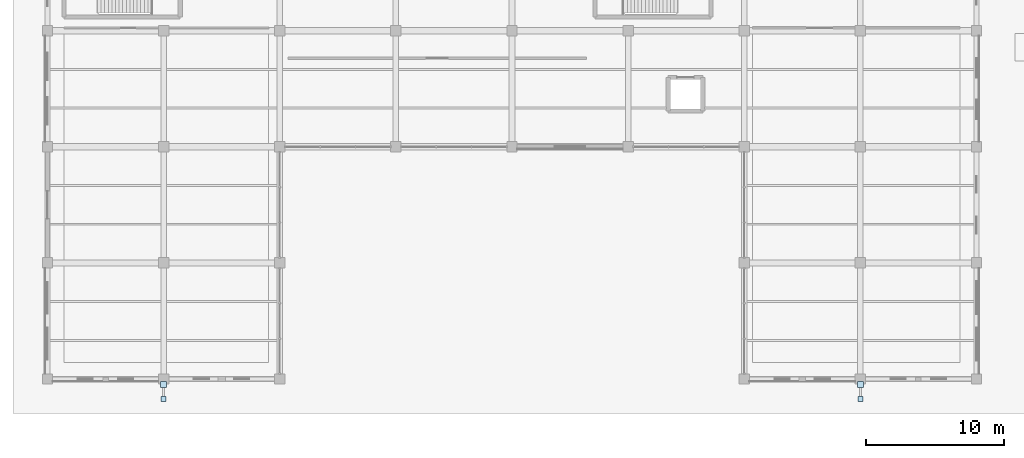
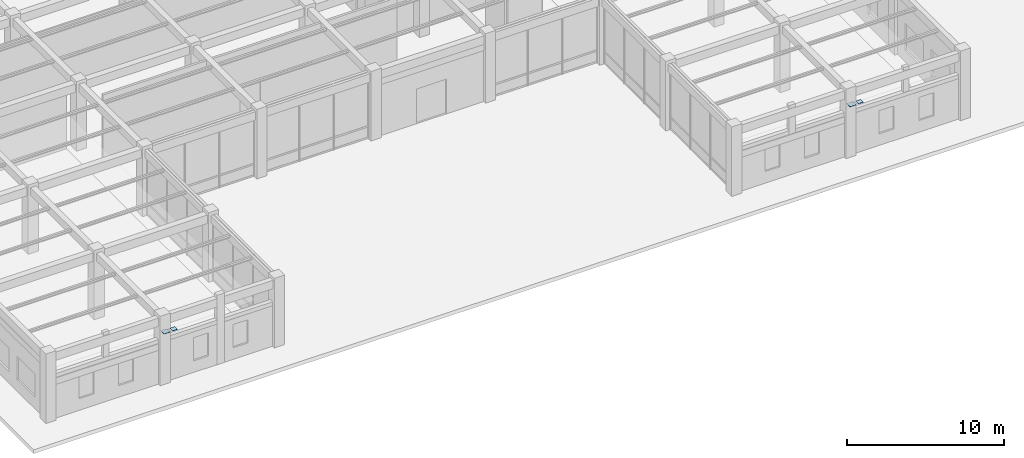
# One storey, part 119 of 157: 4 plates.
"""IFC4 building model written with IfcOpenShell, lengths in metres."""

from ifc_helpers import new_model, si_unit, direction, frame, origin, origin_2d, place, context, subcontext, project, spatial, rectangle, extrude, material, layer, layer_set, type_object, element, save


model = new_model("IFC4")

# Units and contexts
model_context = context("Model", 3, precision=1e-05, world=origin(), true_north=direction((0.0, 1.0)))
body_context = subcontext(model_context, "Body", "Model", "MODEL_VIEW")
ifc_project = project(units=[si_unit("LENGTHUNIT", "METRE"), si_unit("AREAUNIT", "SQUARE_METRE"), si_unit("VOLUMEUNIT", "CUBIC_METRE"), si_unit("PLANEANGLEUNIT", "RADIAN"), si_unit("MASSUNIT", "GRAM", prefix="KILO"), si_unit("THERMODYNAMICTEMPERATUREUNIT", "KELVIN"), si_unit("POWERUNIT", "WATT")], contexts=[model_context])

# Site, building, storey
site_placement = place(None, origin())
site = spatial("IfcSite", under=ifc_project, at=site_placement, CompositionType="ELEMENT")
building_placement = place(site_placement, origin())
building = spatial("IfcBuilding", under=site, at=building_placement, Name="Darbajah Civic Hall", CompositionType="ELEMENT")
storey_placement = place(building_placement, origin())
storey = spatial("IfcBuildingStorey", under=building, at=storey_placement, Name="L00", CompositionType="ELEMENT", Elevation=0.0)

# Plates
ifc_material = material(Name="Steel S355JR", Category="steel")
ifc_layer_1 = layer(ifc_material, 0.01611328125, Name="Steel S355JR")
ifc_layer_set_1 = layer_set([ifc_layer_1], Name="Steel S355JR")
plate_type_1 = type_object("IfcPlateType", Name="Steel Gusset Plate 360x360x16", PredefinedType="SHEET", material=ifc_layer_set_1)
for number, where, z_axis, x_axis, name in (
    (1, (8.39990234375, -1.449951171875, 4.94189453125), (0.0, 0.0, 1.0), (1.0, 0.0, 0.0), "L00 chhajja strut end cap plate 9"),
    (2, (58.800048828125, -1.449951171875, 4.94189453125), (0.0, 0.0, 1.0), (1.0, 0.0, 0.0), "L00 chhajja strut end cap plate 10"),
):
    element("IfcPlate", number, at=place(storey_placement, frame(where, z_axis=z_axis, x_axis=x_axis)), inside=storey, type_object=plate_type_1, Name=name, PredefinedType="SHEET", context=body_context, shape_type="SweptSolid", body=[
        extrude(rectangle(XDim=0.360107421875, YDim=0.360107421875, at=origin_2d()), origin(), (0.0, 0.0, 1.0), 0.01611328125),
    ])
ifc_layer_2 = layer(ifc_material, 0.02001953125, Name="Steel S355JR")
ifc_layer_set_2 = layer_set([ifc_layer_2], Name="Steel S355JR")
plate_type_2 = type_object("IfcPlateType", Name="Steel Gusset Plate 440x440x20", PredefinedType="SHEET", material=ifc_layer_set_2)
for number, where, z_axis, x_axis, name in (
    (3, (8.39990234375, -0.383056640625, 4.090087890625), (0.0, 0.0, 1.0), (1.0, 0.0, 0.0), "L00 chhajja strut inner gusset plate 9"),
    (4, (58.800048828125, -0.383056640625, 4.090087890625), (0.0, 0.0, 1.0), (1.0, 0.0, 0.0), "L00 chhajja strut inner gusset plate 10"),
):
    element("IfcPlate", number, at=place(storey_placement, frame(where, z_axis=z_axis, x_axis=x_axis)), inside=storey, type_object=plate_type_2, Name=name, PredefinedType="SHEET", context=body_context, shape_type="SweptSolid", body=[
        extrude(rectangle(XDim=0.43994140625, YDim=0.43994140625, at=origin_2d()), origin(), (0.0, 0.0, 1.0), 0.02001953125),
    ])

save(model, "model.ifc")
